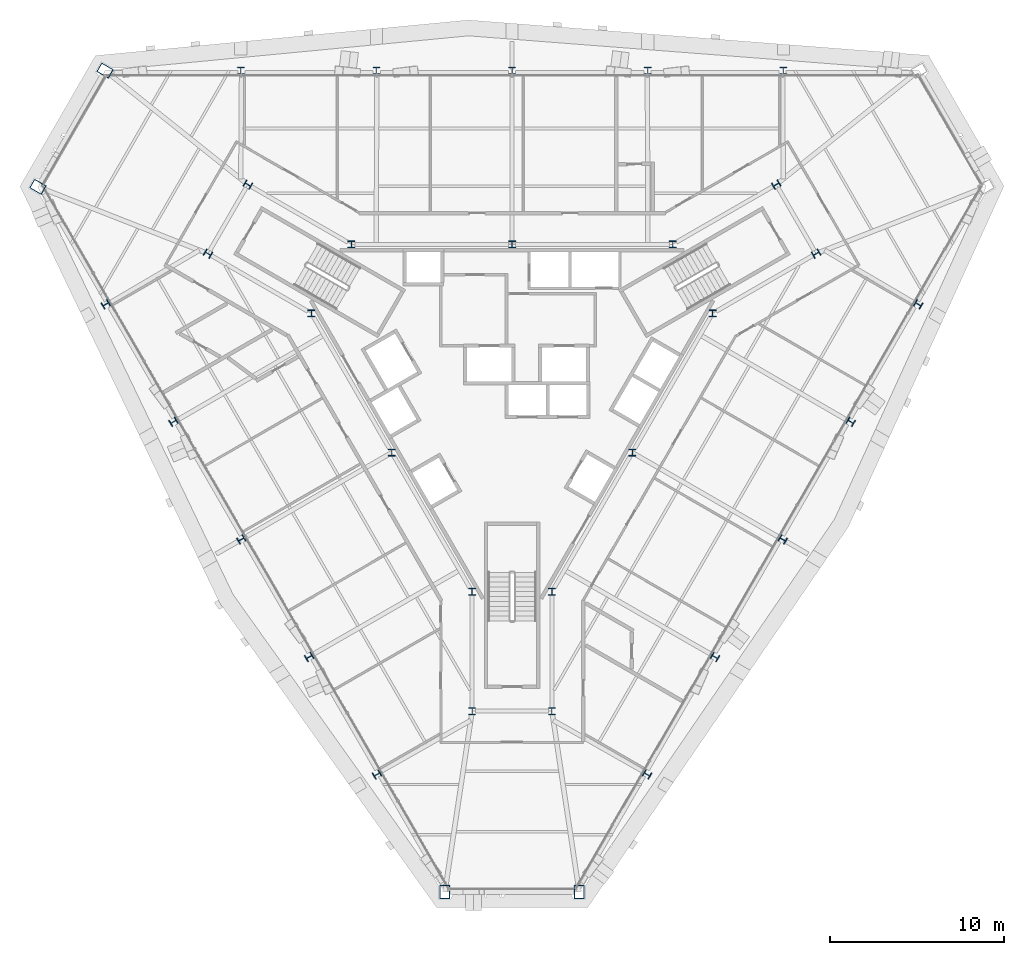
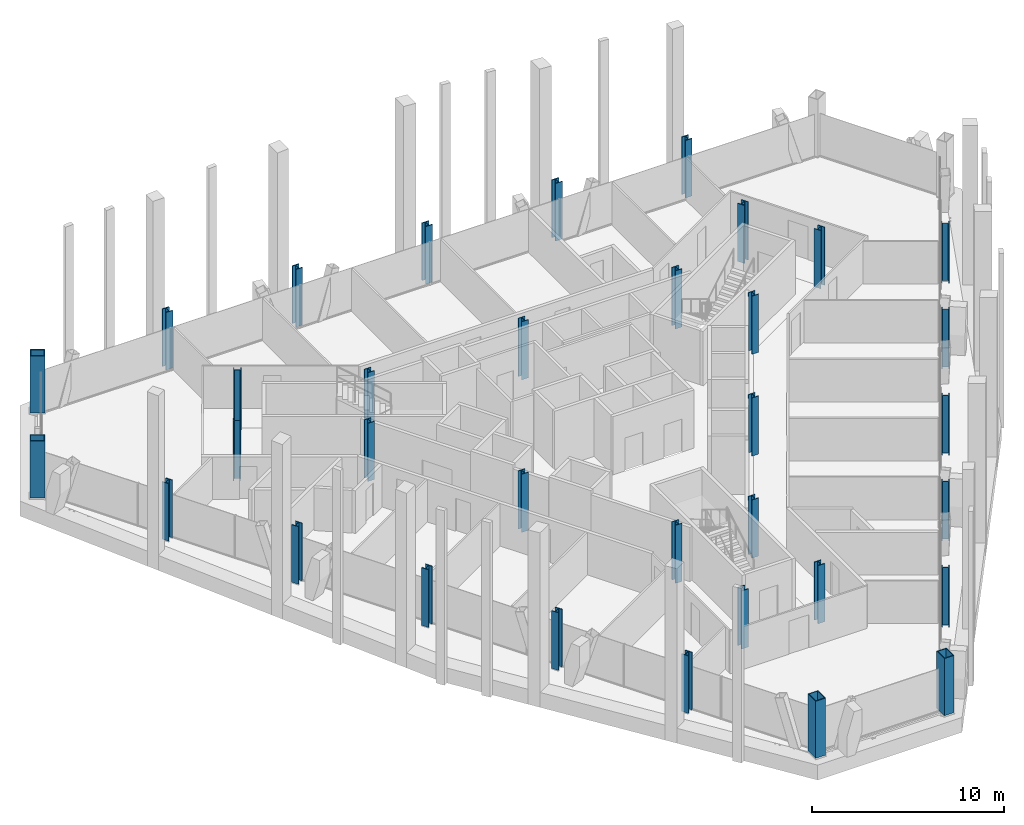
# One storey, part 1 of 17: 34 columns.
"""IFC4 building model written with IfcOpenShell, lengths in metres."""

from ifc_helpers import new_model, si_unit, direction, frame, origin, origin_2d, place, context, subcontext, project, spatial, hollow_rectangle, i_section, extrude, material, material_profile, profile_set, type_object, element, save


model = new_model("IFC4")

# Units and contexts
model_context = context("Model", 3, precision=1e-05, world=origin(), true_north=direction((0.0, 1.0)))
body_context = subcontext(model_context, "Body", "Model", "MODEL_VIEW")
ifc_project = project(units=[si_unit("LENGTHUNIT", "METRE"), si_unit("AREAUNIT", "SQUARE_METRE"), si_unit("VOLUMEUNIT", "CUBIC_METRE"), si_unit("PLANEANGLEUNIT", "RADIAN"), si_unit("MASSUNIT", "GRAM", prefix="KILO")], contexts=[model_context])

# Site, building, storey
site_placement = place(None, origin())
site = spatial("IfcSite", under=ifc_project, at=site_placement, CompositionType="ELEMENT")
building_placement = place(site_placement, origin())
building = spatial("IfcBuilding", under=site, at=building_placement, Name="Verrane Prism Tower", CompositionType="ELEMENT")
storey_placement = place(building_placement, frame((0.0, 0.0, 178.39990234375)))
storey = spatial("IfcBuildingStorey", under=building, at=storey_placement, Name="L44", CompositionType="ELEMENT", Elevation=178.39990234375)

# Columns
ifc_material_1 = material(Name="Steel A992", Category="steel")
ifc_material_profile_1 = material_profile(ifc_material_1, i_section(OverallWidth=0.406494140625, OverallDepth=0.41650390625, WebThickness=0.030029296875, FlangeThickness=0.048095703125, FilletRadius=0.01513671875, at=origin_2d()), Name="W14x257")
ifc_profile_set_1 = profile_set([ifc_material_profile_1], Name="Steel A992")
column_type_1 = type_object("IfcColumnType", Name="Core corner column W14x257", PredefinedType="COLUMN", material=ifc_profile_set_1)
for number, where, z_axis, x_axis, name in (
    (1, (17.52001953125, 7.4599609375, 0.0), (0.0, 0.0, 1.0), (0.5, -0.866025403784, 0.0), "Core corner column CK-NEm L44"),
    (2, (15.219970703125, 11.43994140625, 0.0), (0.0, 0.0, 1.0), (0.5, -0.866025403784, 0.0), "Core corner column CK-NEp L44"),
    (3, (-15.219970703125, 11.43994140625, 0.0), (0.0, 0.0, 1.0), (0.5, 0.866025403784, 0.0), "Core corner column CK-NWm L44"),
    (4, (-17.52001953125, 7.4599609375, 0.0), (0.0, 0.0, 1.0), (0.5, 0.866025403784, 0.0), "Core corner column CK-NWp L44"),
    (5, (-2.300048828125, -18.89990234375, 0.0), (0.0, 0.0, 1.0), (-1.0, 0.0, 0.0), "Core corner column CK-Sm L44"),
    (6, (2.300048828125, -18.89990234375, 0.0), (0.0, 0.0, 1.0), (-1.0, 0.0, 0.0), "Core corner column CK-Sp L44"),
):
    element("IfcColumn", number, at=place(storey_placement, frame(where, z_axis=z_axis, x_axis=x_axis)), inside=storey, type_object=column_type_1, Name=name, PredefinedType="COLUMN", context=body_context, shape_type="SweptSolid", body=[
        extrude(i_section(OverallWidth=0.406494140625, OverallDepth=0.41650390625, WebThickness=0.030029296875, FlangeThickness=0.048095703125, FilletRadius=0.01513671875, at=origin_2d()), origin(), (0.0, 0.0, 1.0), 3.7001953125),
    ])
ifc_material_2 = material(Name="Steel A992", Category="steel")
ifc_material_profile_2 = material_profile(ifc_material_2, i_section(OverallWidth=0.4013671875, OverallDepth=0.398681640625, WebThickness=0.02490234375, FlangeThickness=0.03955078125, FilletRadius=0.01513671875, at=origin_2d()), Name="W14x211")
ifc_profile_set_2 = profile_set([ifc_material_profile_2], Name="Steel A992")
column_type_2 = type_object("IfcColumnType", Name="Core side column W14x211", PredefinedType="COLUMN", material=ifc_profile_set_2)
for number, where, z_axis, x_axis, name in (
    (7, (11.56005859375, 4.02001953125, 0.0), (0.0, 0.0, 1.0), (1.0, 0.0, 0.0), "Core side column CC-NEm L44"),
    (8, (9.260009765625, 8.0, 0.0), (0.0, 0.0, 1.0), (1.0, 0.0, 0.0), "Core side column CC-NEp L44"),
    (9, (0.0, 8.0, 0.0), (0.0, 0.0, 1.0), (1.0, 0.0, 0.0), "Core side column CC-N0 L44"),
    (10, (-9.260009765625, 8.0, 0.0), (0.0, 0.0, 1.0), (1.0, 0.0, 0.0), "Core side column CC-NWm L44"),
    (11, (-11.56005859375, 4.02001953125, 0.0), (0.0, 0.0, 1.0), (1.0, 0.0, 0.0), "Core side column CC-NWp L44"),
    (12, (-6.929931640625, -4.0, 0.0), (0.0, 0.0, 1.0), (1.0, 0.0, 0.0), "Core side column CC-SW0 L44"),
    (13, (-2.300048828125, -12.02001953125, 0.0), (0.0, 0.0, 1.0), (1.0, 0.0, 0.0), "Core side column CC-Sm L44"),
    (14, (2.300048828125, -12.02001953125, 0.0), (0.0, 0.0, 1.0), (1.0, 0.0, 0.0), "Core side column CC-Sp L44"),
    (15, (6.929931640625, -4.0, 0.0), (0.0, 0.0, 1.0), (1.0, 0.0, 0.0), "Core side column CC-SE0 L44"),
):
    element("IfcColumn", number, at=place(storey_placement, frame(where, z_axis=z_axis, x_axis=x_axis)), inside=storey, type_object=column_type_2, Name=name, PredefinedType="COLUMN", context=body_context, shape_type="SweptSolid", body=[
        extrude(i_section(OverallWidth=0.4013671875, OverallDepth=0.398681640625, WebThickness=0.02490234375, FlangeThickness=0.03955078125, FilletRadius=0.01513671875, at=origin_2d()), origin(), (0.0, 0.0, 1.0), 3.7001953125),
    ])
ifc_material_3 = material(Name="Steel A572 Grade 50", Category="steel")
ifc_material_profile_3 = material_profile(ifc_material_3, hollow_rectangle(XDim=0.60009765625, YDim=0.800048828125, WallThickness=0.050048828125, at=origin_2d()), Name="BOX 800x600x50")
ifc_profile_set_3 = profile_set([ifc_material_profile_3], Name="Steel A572 Grade 50")
column_type_3 = type_object("IfcColumnType", Name="Megacolumn BOX 800x600x50", PredefinedType="COLUMN", material=ifc_profile_set_3)
for number, where, z_axis, x_axis, name in (
    (16, (-23.449951171875, 18.010009765625, 0.065185546875), (0.0, 0.0, 1.0), (0.5, 0.866025403784, 0.0), "Megacolumn MC-NW.a L44"),
    (17, (-27.320068359375, 11.31005859375, 0.065185546875), (0.0, 0.0, 1.0), (0.5, 0.866025403784, 0.0), "Megacolumn MC-NW.b L44"),
    (18, (-3.8701171875, -29.320068359375, 0.065185546875), (0.0, 0.0, 1.0), (-1.0, 0.0, 0.0), "Megacolumn MC-S.a L44"),
    (19, (3.8701171875, -29.320068359375, 0.065185546875), (0.0, 0.0, 1.0), (-1.0, 0.0, 0.0), "Megacolumn MC-S.b L44"),
):
    element("IfcColumn", number, at=place(storey_placement, frame(where, z_axis=z_axis, x_axis=x_axis)), inside=storey, type_object=column_type_3, Name=name, PredefinedType="COLUMN", context=body_context, shape_type="SweptSolid", body=[
        extrude(hollow_rectangle(XDim=0.60009765625, YDim=0.800048828125, WallThickness=0.050048828125, at=origin_2d()), origin(), (0.0, 0.0, 1.0), 3.635009765625),
    ])
ifc_material_4 = material(Name="Steel A992", Category="steel")
ifc_material_profile_4 = material_profile(ifc_material_4, i_section(OverallWidth=0.406494140625, OverallDepth=0.41650390625, WebThickness=0.030029296875, FlangeThickness=0.048095703125, FilletRadius=0.01513671875, at=origin_2d()), Name="W14x257")
ifc_profile_set_4 = profile_set([ifc_material_profile_4], Name="Steel A992")
column_type_4 = type_object("IfcColumnType", Name="Perimeter column W14x257", PredefinedType="COLUMN", material=ifc_profile_set_4)
column_1_placement = place(storey_placement, frame((15.6298828125, 18.010009765625, 0.0400390625), z_axis=(0.0, 0.0, 1.0), x_axis=(1.0, 0.0, 0.0)))
element("IfcColumn", 20, at=column_1_placement, inside=storey, type_object=column_type_4, Name="Perimeter column PC-N1 L44", PredefinedType="COLUMN", context=body_context, shape_type="SweptSolid", body=[
    extrude(i_section(OverallWidth=0.406494140625, OverallDepth=0.41650390625, WebThickness=0.030029296875, FlangeThickness=0.048095703125, FilletRadius=0.01513671875, at=origin_2d()), origin(), (0.0, 0.0, 1.0), 3.66015625),
])
for number, where, z_axis, x_axis, name in (
    (21, (7.820068359375, 18.010009765625, 0.03515625), (0.0, 0.0, 1.0), (1.0, 0.0, 0.0), "Perimeter column PC-N2 L44"),
    (22, (0.0, 18.010009765625, 0.03515625), (0.0, 0.0, 1.0), (1.0, 0.0, 0.0), "Perimeter column PC-N3 L44"),
    (23, (-7.820068359375, 18.010009765625, 0.03515625), (0.0, 0.0, 1.0), (1.0, 0.0, 0.0), "Perimeter column PC-N4 L44"),
):
    element("IfcColumn", number, at=place(storey_placement, frame(where, z_axis=z_axis, x_axis=x_axis)), inside=storey, type_object=column_type_4, Name=name, PredefinedType="COLUMN", context=body_context, shape_type="SweptSolid", body=[
        extrude(i_section(OverallWidth=0.406494140625, OverallDepth=0.41650390625, WebThickness=0.030029296875, FlangeThickness=0.048095703125, FilletRadius=0.01513671875, at=origin_2d()), origin(), (0.0, 0.0, 1.0), 3.6650390625),
    ])
for number, where, z_axis, x_axis, name in (
    (24, (-15.6298828125, 18.010009765625, 0.0400390625), (0.0, 0.0, 1.0), (1.0, 0.0, 0.0), "Perimeter column PC-N5 L44"),
    (25, (-23.409912109375, 4.5400390625, 0.0400390625), (0.0, 0.0, 1.0), (-0.5, 0.866025403784, 0.0), "Perimeter column PC-SW1 L44"),
):
    element("IfcColumn", number, at=place(storey_placement, frame(where, z_axis=z_axis, x_axis=x_axis)), inside=storey, type_object=column_type_4, Name=name, PredefinedType="COLUMN", context=body_context, shape_type="SweptSolid", body=[
        extrude(i_section(OverallWidth=0.406494140625, OverallDepth=0.41650390625, WebThickness=0.030029296875, FlangeThickness=0.048095703125, FilletRadius=0.01513671875, at=origin_2d()), origin(), (0.0, 0.0, 1.0), 3.66015625),
    ])
for number, where, z_axis, x_axis, name in (
    (26, (-19.510009765625, -2.22998046875, 0.03515625), (0.0, 0.0, 1.0), (-0.5, 0.866025403784, 0.0), "Perimeter column PC-SW2 L44"),
    (27, (-15.60009765625, -9.010009765625, 0.03515625), (0.0, 0.0, 1.0), (-0.5, 0.866025403784, 0.0), "Perimeter column PC-SW3 L44"),
    (28, (-11.68994140625, -15.780029296875, 0.03515625), (0.0, 0.0, 1.0), (-0.5, 0.866025403784, 0.0), "Perimeter column PC-SW4 L44"),
):
    element("IfcColumn", number, at=place(storey_placement, frame(where, z_axis=z_axis, x_axis=x_axis)), inside=storey, type_object=column_type_4, Name=name, PredefinedType="COLUMN", context=body_context, shape_type="SweptSolid", body=[
        extrude(i_section(OverallWidth=0.406494140625, OverallDepth=0.41650390625, WebThickness=0.030029296875, FlangeThickness=0.048095703125, FilletRadius=0.01513671875, at=origin_2d()), origin(), (0.0, 0.0, 1.0), 3.6650390625),
    ])
for number, where, z_axis, x_axis, name in (
    (29, (-7.780029296875, -22.550048828125, 0.0400390625), (0.0, 0.0, 1.0), (-0.5, 0.866025403784, 0.0), "Perimeter column PC-SW5 L44"),
    (30, (7.780029296875, -22.550048828125, 0.0400390625), (0.0, 0.0, 1.0), (-0.5, -0.866025403784, 0.0), "Perimeter column PC-SE1 L44"),
):
    element("IfcColumn", number, at=place(storey_placement, frame(where, z_axis=z_axis, x_axis=x_axis)), inside=storey, type_object=column_type_4, Name=name, PredefinedType="COLUMN", context=body_context, shape_type="SweptSolid", body=[
        extrude(i_section(OverallWidth=0.406494140625, OverallDepth=0.41650390625, WebThickness=0.030029296875, FlangeThickness=0.048095703125, FilletRadius=0.01513671875, at=origin_2d()), origin(), (0.0, 0.0, 1.0), 3.66015625),
    ])
for number, where, z_axis, x_axis, name in (
    (31, (11.68994140625, -15.780029296875, 0.03515625), (0.0, 0.0, 1.0), (-0.5, -0.866025403784, 0.0), "Perimeter column PC-SE2 L44"),
    (32, (15.60009765625, -9.010009765625, 0.03515625), (0.0, 0.0, 1.0), (-0.5, -0.866025403784, 0.0), "Perimeter column PC-SE3 L44"),
    (33, (19.510009765625, -2.22998046875, 0.03515625), (0.0, 0.0, 1.0), (-0.5, -0.866025403784, 0.0), "Perimeter column PC-SE4 L44"),
):
    element("IfcColumn", number, at=place(storey_placement, frame(where, z_axis=z_axis, x_axis=x_axis)), inside=storey, type_object=column_type_4, Name=name, PredefinedType="COLUMN", context=body_context, shape_type="SweptSolid", body=[
        extrude(i_section(OverallWidth=0.406494140625, OverallDepth=0.41650390625, WebThickness=0.030029296875, FlangeThickness=0.048095703125, FilletRadius=0.01513671875, at=origin_2d()), origin(), (0.0, 0.0, 1.0), 3.6650390625),
    ])
column_2_placement = place(storey_placement, frame((23.409912109375, 4.5400390625, 0.0400390625), z_axis=(0.0, 0.0, 1.0), x_axis=(-0.5, -0.866025403784, 0.0)))
element("IfcColumn", 34, at=column_2_placement, inside=storey, type_object=column_type_4, Name="Perimeter column PC-SE5 L44", PredefinedType="COLUMN", context=body_context, shape_type="SweptSolid", body=[
    extrude(i_section(OverallWidth=0.406494140625, OverallDepth=0.41650390625, WebThickness=0.030029296875, FlangeThickness=0.048095703125, FilletRadius=0.01513671875, at=origin_2d()), origin(), (0.0, 0.0, 1.0), 3.66015625),
])

save(model, "model.ifc")
